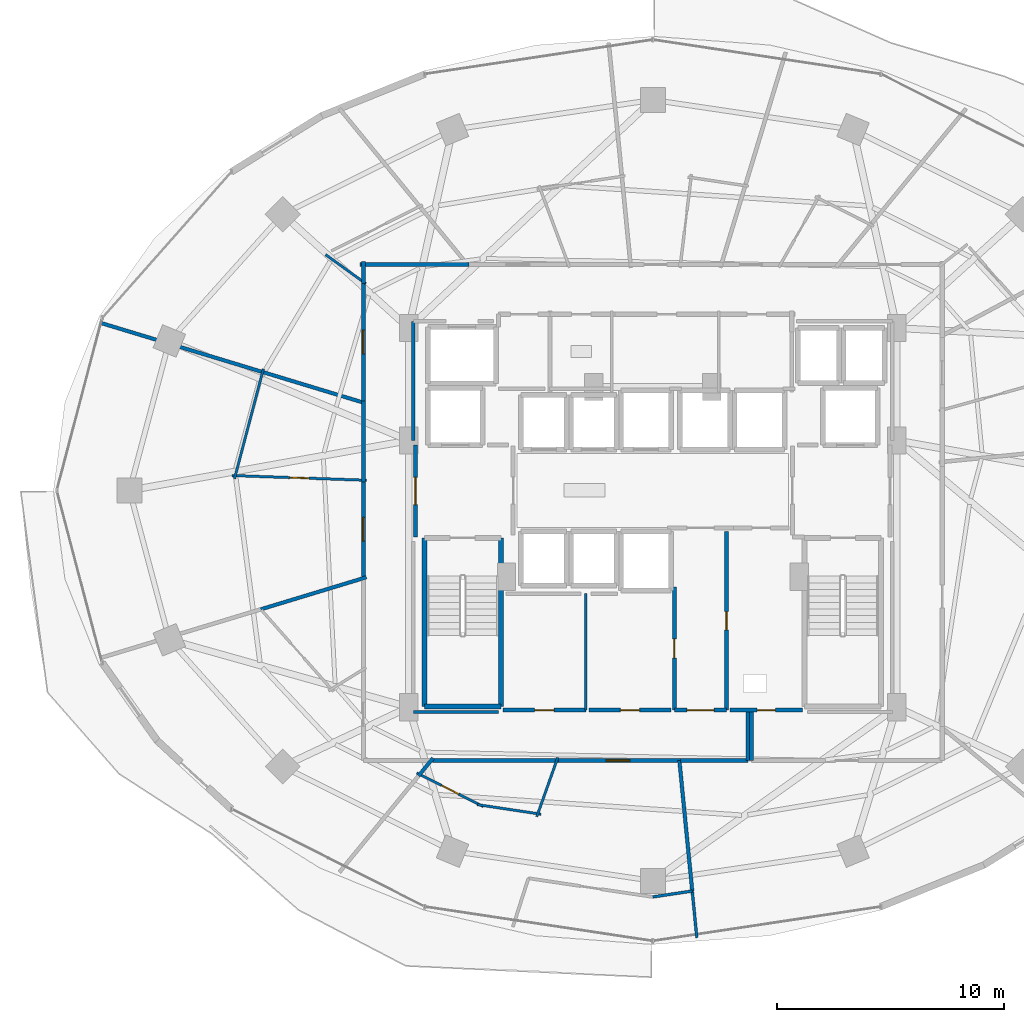
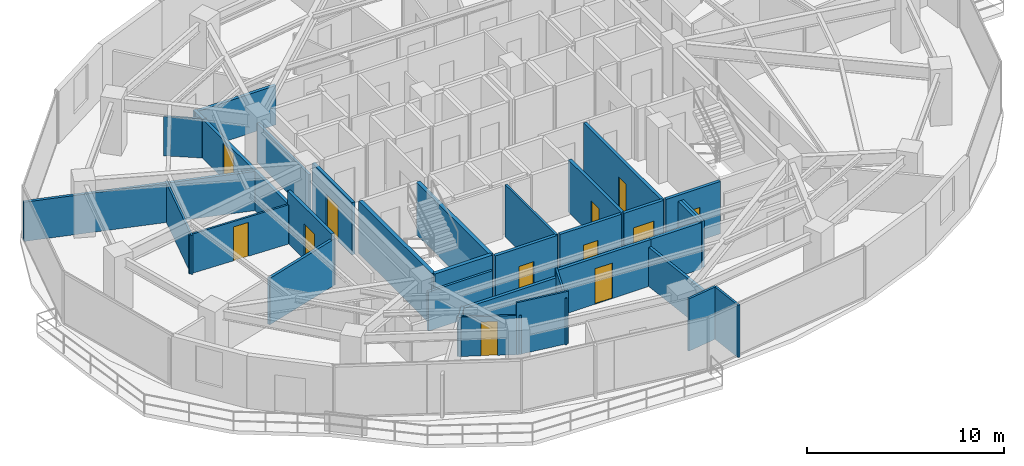
# One storey, part 22 of 29: 35 walls, 12 doors, 12 openings.
"""IFC4 building model written with IfcOpenShell, lengths in metres."""

from ifc_helpers import new_model, si_unit, direction, frame, frame_2d, origin, place, context, subcontext, project, spatial, rectangle, extrude, material, layer, layer_set, type_object, element, fill, save


model = new_model("IFC4")

# Units and contexts
model_context = context("Model", 3, precision=1e-05, world=origin(), true_north=direction((0.0, 1.0)))
body_context = subcontext(model_context, "Body", "Model", "MODEL_VIEW")
ifc_project = project(units=[si_unit("LENGTHUNIT", "METRE"), si_unit("AREAUNIT", "SQUARE_METRE"), si_unit("VOLUMEUNIT", "CUBIC_METRE"), si_unit("PLANEANGLEUNIT", "RADIAN"), si_unit("MASSUNIT", "GRAM", prefix="KILO")], contexts=[model_context])

# Site, building, storey
site_placement = place(None, origin())
site = spatial("IfcSite", under=ifc_project, at=site_placement, CompositionType="ELEMENT")
building_placement = place(site_placement, origin())
building = spatial("IfcBuilding", under=site, at=building_placement, Name="Vorneva Point Tower", CompositionType="ELEMENT")
storey_placement = place(building_placement, frame((0.0, 0.0, 117.300048828125)))
storey = spatial("IfcBuildingStorey", under=building, at=storey_placement, Name="L31", CompositionType="ELEMENT", Elevation=117.300048828125)

# Walls
ifc_material_1 = material(Name="Fire-rated acoustic gypsum stud partition", Category="gypsum")
ifc_layer_1 = layer(ifc_material_1, 0.110107421875)
ifc_layer_set_1 = layer_set([ifc_layer_1], Name="Fire-rated acoustic gypsum stud partition")
wall_type_1 = type_object("IfcWallType", Name="WL-PART-110", PredefinedType="PARTITIONING", material=ifc_layer_set_1)
wall_1_placement = place(storey_placement, frame((25.363525390625, 35.105224609375, 0.0), z_axis=(0.0, 0.0, 1.0), x_axis=(-0.811375655524, 0.584525059876, 0.0)))
element("IfcWall", 1, at=wall_1_placement, inside=storey, type_object=wall_type_1, Name="L31 Interior Partition 071", PredefinedType="PARTITIONING", context=body_context, shape_type="SweptSolid", body=[
    extrude(rectangle(XDim=2.18896484375, YDim=0.110107421875, at=frame_2d((1.094482421875, 0.0))), origin(), (0.0, 0.0, 1.0), 2.431884765625),
])
wall_2_placement = place(storey_placement, frame((19.575439453125, 26.5146484375, 0.0), z_axis=(0.0, 0.0, 1.0), x_axis=(0.254478876497, 0.967078332617, 0.0)))
element("IfcWall", 2, at=wall_2_placement, inside=storey, type_object=wall_type_1, Name="L31 Interior Partition 073", PredefinedType="PARTITIONING", context=body_context, shape_type="SweptSolid", body=[
    extrude(rectangle(XDim=4.999267578125, YDim=0.110107421875, at=frame_2d((2.49951171875, 0.0))), origin(), (0.0, 0.0, 1.0), 2.431884765625),
])

# Wall, opening, door
wall_3_placement = place(storey_placement, frame((25.389892578125, 26.446044921875, 0.0), z_axis=(0.0, 0.0, 1.0), x_axis=(-0.999378666741, 0.03524599926, 0.0)))
wall_3 = element("IfcWall", 3, at=wall_3_placement, inside=storey, type_object=wall_type_1, Name="L31 Interior Partition 074", PredefinedType="PARTITIONING", context=body_context, shape_type="SweptSolid", body=[
    extrude(rectangle(XDim=5.92236328125, YDim=0.110107421875, at=frame_2d((2.961181640625, 0.0))), origin(), (0.0, 0.0, 1.0), 2.431884765625),
])
opening_1_placement = place(wall_3_placement, frame((2.5361328125, 0.0, 0.0)))
opening_1 = element("IfcOpeningElement", 4, at=opening_1_placement, cuts=wall_3, Name="Opening ID-02", PredefinedType="OPENING", context=body_context, shape_type="SweptSolid", body=[
    extrude(rectangle(XDim=0.85009765625, YDim=2.10009765625, at=frame_2d((0.425048828125, 1.050048828125))), frame((0.0, 0.06982421875, 0.0), z_axis=(0.0, -1.0, 0.0), x_axis=(1.0, 0.0, 0.0)), (0.0, 0.0, 1.0), 0.139892578125),
])
ifc_material_2 = material(Name="Engineered oak fire-rated door leaf", Category="wood")
door_type_1 = type_object("IfcDoorType", Name="DR-BATH-850", OperationType="NOTDEFINED", PredefinedType="DOOR", material=ifc_material_2)
door_1_placement = place(opening_1_placement, origin())
door_1 = element("IfcDoor", 5, at=door_1_placement, inside=storey, type_object=door_type_1, Name="L31 Door Junior Suite L31-07 / En-Suite Bathroom L31-07", OperationType="SINGLE_SWING_LEFT", OverallHeight=2.10009765625, OverallWidth=0.85009765625, PredefinedType="DOOR", context=body_context, shape_type="SweptSolid", body=[
    extrude(rectangle(XDim=0.85009765625, YDim=2.10009765625, at=frame_2d((0.425048828125, 1.050048828125))), frame((0.0, 0.02490234375, 0.0), z_axis=(0.0, -1.0, 0.0), x_axis=(1.0, 0.0, 0.0)), (0.0, 0.0, 1.0), 0.050048828125),
])
fill(opening_1, door_1)

# Walls
wall_4_placement = place(storey_placement, frame((33.81494140625, 14.23193359375, 0.0), z_axis=(0.0, 0.0, 1.0), x_axis=(-0.334786713612, -0.942293933117, 0.0)))
element("IfcWall", 6, at=wall_4_placement, inside=storey, type_object=wall_type_1, Name="L31 Interior Partition 081", PredefinedType="PARTITIONING", context=body_context, shape_type="SweptSolid", body=[
    extrude(rectangle(XDim=2.765380859375, YDim=0.110107421875, at=frame_2d((1.3828125, 0.0))), origin(), (0.0, 0.0, 1.0), 2.8740234375),
])
wall_5_placement = place(storey_placement, frame((33.074462890625, 11.7373046875, 0.0), z_axis=(0.0, 0.0, 1.0), x_axis=(-0.988902866222, 0.148563525729, 0.0)))
element("IfcWall", 7, at=wall_5_placement, inside=storey, type_object=wall_type_1, Name="L31 Interior Partition 082", PredefinedType="PARTITIONING", context=body_context, shape_type="SweptSolid", body=[
    extrude(rectangle(XDim=2.83642578125, YDim=0.110107421875, at=frame_2d((1.418212890625, 0.0))), origin(), (0.0, 0.0, 1.0), 3.239990234375),
])

# Wall, opening, door
wall_6_placement = place(storey_placement, frame((30.532958984375, 12.07470703125, 0.0), z_axis=(0.0, 0.0, 1.0), x_axis=(-0.892451870397, 0.451142614952, 0.0)))
wall_6 = element("IfcWall", 8, at=wall_6_placement, inside=storey, type_object=wall_type_1, Name="L31 Interior Partition 083", PredefinedType="PARTITIONING", context=body_context, shape_type="SweptSolid", body=[
    extrude(rectangle(XDim=3.27734375, YDim=0.110107421875, at=frame_2d((1.638671875, 0.0))), origin(), (0.0, 0.0, 1.0), 2.431884765625),
])
opening_2_placement = place(wall_6_placement, frame((1.213623046875, 0.0, 0.0)))
opening_2 = element("IfcOpeningElement", 9, at=opening_2_placement, cuts=wall_6, Name="Opening ID-02", PredefinedType="OPENING", context=body_context, shape_type="SweptSolid", body=[
    extrude(rectangle(XDim=0.85009765625, YDim=2.10009765625, at=frame_2d((0.425048828125, 1.050048828125))), frame((0.0, 0.06982421875, 0.0), z_axis=(0.0, -1.0, 0.0), x_axis=(1.0, 0.0, 0.0)), (0.0, 0.0, 1.0), 0.139892578125),
])
door_2_placement = place(opening_2_placement, origin())
door_2 = element("IfcDoor", 10, at=door_2_placement, inside=storey, type_object=door_type_1, Name="L31 Door Corner Suite L31-09 / En-Suite Bathroom L31-09", OperationType="SINGLE_SWING_LEFT", OverallHeight=2.10009765625, OverallWidth=0.85009765625, PredefinedType="DOOR", context=body_context, shape_type="SweptSolid", body=[
    extrude(rectangle(XDim=0.85009765625, YDim=2.10009765625, at=frame_2d((0.425048828125, 1.050048828125))), frame((0.0, 0.02490234375, 0.0), z_axis=(0.0, -1.0, 0.0), x_axis=(1.0, 0.0, 0.0)), (0.0, 0.0, 1.0), 0.050048828125),
])
fill(opening_2, door_2)

# Walls
ifc_layer_2 = layer(ifc_material_1, 0.125)
ifc_layer_set_2 = layer_set([ifc_layer_2], Name="Fire-rated acoustic gypsum stud partition")
wall_type_2 = type_object("IfcWallType", Name="WL-PART-125", PredefinedType="PARTITIONING", material=ifc_layer_set_2)
wall_7_placement = place(storey_placement, frame((35.050048828125, 16.320068359375, 0.0), z_axis=(0.0, 0.0, 1.0), x_axis=(0.0, 1.0, 0.0)))
element("IfcWall", 11, at=wall_7_placement, inside=storey, type_object=wall_type_2, Name="L31 Interior Partition 021", PredefinedType="PARTITIONING", context=body_context, shape_type="SweptSolid", body=[
    extrude(rectangle(XDim=5.1298828125, YDim=0.125, at=frame_2d((2.56494140625, 0.0))), origin(), (0.0, 0.0, 1.0), 3.239990234375),
])
wall_8_placement = place(storey_placement, frame((38.0, 8.092041015625, 0.0), z_axis=(0.0, 0.0, 1.0), x_axis=(0.988912905534, 0.148496684368, 0.0)))
element("IfcWall", 12, at=wall_8_placement, inside=storey, type_object=wall_type_2, Name="L31 Interior Partition 086", PredefinedType="PARTITIONING", context=body_context, shape_type="SweptSolid", body=[
    extrude(rectangle(XDim=1.757568359375, YDim=0.125, at=frame_2d((0.87890625, 0.0))), origin(), (0.0, 0.0, 1.0), 3.239990234375),
])
wall_9_placement = place(storey_placement, frame((39.738037109375, 8.35302734375, 0.0), z_axis=(0.0, 0.0, 1.0), x_axis=(0.098101024823, -0.995176461201, 0.0)))
element("IfcWall", 13, at=wall_9_placement, inside=storey, type_object=wall_type_2, Name="L31 Interior Partition 087", PredefinedType="PARTITIONING", context=body_context, shape_type="SweptSolid", body=[
    extrude(rectangle(XDim=2.068115234375, YDim=0.125, at=frame_2d((1.0341796875, 0.0))), origin(), (0.0, 0.0, 1.0), 3.239990234375),
])
ifc_layer_3 = layer(ifc_material_1, 0.139892578125)
ifc_layer_set_3 = layer_set([ifc_layer_3], Name="Fire-rated acoustic gypsum stud partition")
wall_type_3 = type_object("IfcWallType", Name="WL-PART-140", PredefinedType="PARTITIONING", material=ifc_layer_set_3)
wall_10_placement = place(storey_placement, frame((31.195068359375, 16.239990234375, 0.0), z_axis=(0.0, 0.0, 1.0), x_axis=(-1.0, 0.0, 0.0)))
element("IfcWall", 14, at=wall_10_placement, inside=storey, type_object=wall_type_3, Name="L31 Interior Closure Partition 103", PredefinedType="PARTITIONING", context=body_context, shape_type="SweptSolid", body=[
    extrude(rectangle(XDim=3.7451171875, YDim=0.139892578125, at=frame_2d((1.87255859375, 0.0))), origin(), (0.0, 0.0, 1.0), 2.431884765625),
])
wall_11_placement = place(storey_placement, frame((27.449951171875, 28.196044921875, 0.0), z_axis=(0.0, 0.0, 1.0), x_axis=(0.0, 1.0, 0.0)))
element("IfcWall", 15, at=wall_11_placement, inside=storey, type_object=wall_type_3, Name="L31 Interior Closure Partition 105", PredefinedType="PARTITIONING", context=body_context, shape_type="SweptSolid", body=[
    extrude(rectangle(XDim=5.25390625, YDim=0.139892578125, at=frame_2d((2.626953125, 0.0))), origin(), (0.0, 0.0, 1.0), 2.431884765625),
])
ifc_layer_4 = layer(ifc_material_1, 0.159912109375)
ifc_layer_set_4 = layer_set([ifc_layer_4], Name="Fire-rated acoustic gypsum stud partition")
wall_type_4 = type_object("IfcWallType", Name="WL-PART-160", PredefinedType="PARTITIONING", material=ifc_layer_set_4)
wall_12_placement = place(storey_placement, frame((13.6630859375, 33.383056640625, 0.0), z_axis=(0.0, 0.0, 1.0), x_axis=(0.956933802543, -0.290306213422, 0.0)))
element("IfcWall", 16, at=wall_12_placement, inside=storey, type_object=wall_type_4, Name="L31 Interior Partition 072", PredefinedType="PARTITIONING", context=body_context, shape_type="SweptSolid", body=[
    extrude(rectangle(XDim=12.1083984375, YDim=0.159912109375, at=frame_2d((6.05419921875, 0.0))), origin(), (0.0, 0.0, 1.0), 2.431884765625),
])
wall_13_placement = place(storey_placement, frame((20.735107421875, 20.761962890625, 0.0), z_axis=(0.0, 0.0, 1.0), x_axis=(0.956916986017, 0.290361639807, 0.0)))
element("IfcWall", 17, at=wall_13_placement, inside=storey, type_object=wall_type_4, Name="L31 Interior Partition 076", PredefinedType="PARTITIONING", context=body_context, shape_type="SweptSolid", body=[
    extrude(rectangle(XDim=4.858154296875, YDim=0.159912109375, at=frame_2d((2.42919921875, 0.0))), origin(), (0.0, 0.0, 1.0), 2.8740234375),
])
wall_14_placement = place(storey_placement, frame((27.683349609375, 13.4287109375, 0.0), z_axis=(0.0, 0.0, 1.0), x_axis=(0.634186727441, 0.77317992391, 0.0)))
element("IfcWall", 18, at=wall_14_placement, inside=storey, type_object=wall_type_4, Name="L31 Interior Partition 080", PredefinedType="PARTITIONING", context=body_context, shape_type="SweptSolid", body=[
    extrude(rectangle(XDim=1.00830078125, YDim=0.159912109375, at=frame_2d((0.504150390625, 0.0))), origin(), (0.0, 0.0, 1.0), 2.431884765625),
])
wall_15_placement = place(storey_placement, frame((39.73828125, 8.35302734375, 0.0), z_axis=(0.0, 0.0, 1.0), x_axis=(-0.098038593066, 0.995182613529, 0.0)))
element("IfcWall", 19, at=wall_15_placement, inside=storey, type_object=wall_type_4, Name="L31 Interior Partition 088", PredefinedType="PARTITIONING", context=body_context, shape_type="SweptSolid", body=[
    extrude(rectangle(XDim=5.77490234375, YDim=0.159912109375, at=frame_2d((2.887451171875, 0.0))), origin(), (0.0, 0.0, 1.0), 2.431884765625),
])

# Wall, opening, door
ifc_material_3 = material(Name="Autoclaved aerated concrete blockwork", Category="masonry")
ifc_layer_5 = layer(ifc_material_3, 0.179931640625)
ifc_layer_set_5 = layer_set([ifc_layer_5], Name="Autoclaved aerated concrete blockwork")
wall_type_5 = type_object("IfcWallType", Name="WL-PART-180", PredefinedType="PARTITIONING", material=ifc_layer_set_5)
wall_16_placement = place(storey_placement, frame((27.550048828125, 28.0, 0.0), z_axis=(0.0, 0.0, 1.0), x_axis=(0.0, -1.0, 0.0)))
wall_16 = element("IfcWall", 20, at=wall_16_placement, inside=storey, type_object=wall_type_5, Name="L31 Interior Partition 002", PredefinedType="PARTITIONING", context=body_context, shape_type="SweptSolid", body=[
    extrude(rectangle(XDim=4.050048828125, YDim=0.179931640625, at=frame_2d((2.02490234375, 0.0))), origin(), (0.0, 0.0, 1.0), 3.239990234375),
])
opening_3_placement = place(wall_16_placement, frame((1.425048828125, 0.0, 0.0)))
opening_3 = element("IfcOpeningElement", 21, at=opening_3_placement, cuts=wall_16, Name="Opening FD-02", PredefinedType="OPENING", context=body_context, shape_type="SweptSolid", body=[
    extrude(rectangle(XDim=1.199951171875, YDim=2.14990234375, at=frame_2d((0.60009765625, 1.074951171875))), frame((0.0, 0.10498046875, 0.0), z_axis=(0.0, -1.0, 0.0), x_axis=(1.0, 0.0, 0.0)), (0.0, 0.0, 1.0), 0.209716796875),
])
ifc_material_4 = material(Name="Fire-rated powder-coated steel", Category="steel")
door_type_2 = type_object("IfcDoorType", Name="DR-FFL-1200", OperationType="NOTDEFINED", PredefinedType="DOOR", material=ifc_material_4)
door_3_placement = place(opening_3_placement, origin())
door_3 = element("IfcDoor", 22, at=door_3_placement, inside=storey, type_object=door_type_2, Name="L31 Door West Firefighting Lobby / L31 Circulation Corridor", OperationType="SINGLE_SWING_RIGHT", OverallHeight=2.14990234375, OverallWidth=1.199951171875, PredefinedType="DOOR", context=body_context, shape_type="SweptSolid", body=[
    extrude(rectangle(XDim=1.199951171875, YDim=2.14990234375, at=frame_2d((0.60009765625, 1.074951171875))), frame((0.0, 0.02490234375, 0.0), z_axis=(0.0, -1.0, 0.0), x_axis=(1.0, 0.0, 0.0)), (0.0, 0.0, 1.0), 0.050048828125),
])
fill(opening_3, door_3)

wall_17_placement = place(storey_placement, frame((41.25, 16.320068359375, 0.0), z_axis=(0.0, 0.0, 1.0), x_axis=(0.0, 1.0, 0.0)))
wall_17 = element("IfcWall", 23, at=wall_17_placement, inside=storey, type_object=wall_type_5, Name="L31 Interior Partition 011", PredefinedType="PARTITIONING", context=body_context, shape_type="SweptSolid", body=[
    extrude(rectangle(XDim=7.8798828125, YDim=0.179931640625, at=frame_2d((3.93994140625, 0.0))), origin(), (0.0, 0.0, 1.0), 3.239990234375),
])
opening_4_placement = place(wall_17_placement, frame((3.5400390625, 0.0, 0.0)))
opening_4 = element("IfcOpeningElement", 24, at=opening_4_placement, cuts=wall_17, Name="Opening RD-01", PredefinedType="OPENING", context=body_context, shape_type="SweptSolid", body=[
    extrude(rectangle(XDim=0.800048828125, YDim=2.050048828125, at=frame_2d((0.39990234375, 1.02490234375))), frame((0.0, 0.10498046875, 0.0), z_axis=(0.0, -1.0, 0.0), x_axis=(1.0, 0.0, 0.0)), (0.0, 0.0, 1.0), 0.209716796875),
])
door_type_3 = type_object("IfcDoorType", Name="DR-RSR-800", OperationType="SINGLE_SWING_LEFT", PredefinedType="DOOR", material=ifc_material_4)
door_4_placement = place(opening_4_placement, origin())
door_4 = element("IfcDoor", 25, at=door_4_placement, inside=storey, type_object=door_type_3, Name="L31 Door Core Service Lobby / Electrical Riser", OperationType="SINGLE_SWING_LEFT", OverallHeight=2.050048828125, OverallWidth=0.800048828125, PredefinedType="DOOR", context=body_context, shape_type="SweptSolid", body=[
    extrude(rectangle(XDim=0.800048828125, YDim=2.050048828125, at=frame_2d((0.39990234375, 1.02490234375))), frame((0.0, 0.02490234375, 0.0), z_axis=(0.0, -1.0, 0.0), x_axis=(1.0, 0.0, 0.0)), (0.0, 0.0, 1.0), 0.050048828125),
])
fill(opening_4, door_4)

wall_18_placement = place(storey_placement, frame((38.949951171875, 21.7548828125, 0.0), z_axis=(0.0, 0.0, 1.0), x_axis=(0.0, -1.0, 0.0)))
wall_18 = element("IfcWall", 26, at=wall_18_placement, inside=storey, type_object=wall_type_5, Name="L31 Interior Partition 012", PredefinedType="PARTITIONING", context=body_context, shape_type="SweptSolid", body=[
    extrude(rectangle(XDim=5.434814453125, YDim=0.179931640625, at=frame_2d((2.71728515625, 0.0))), origin(), (0.0, 0.0, 1.0), 3.239990234375),
])
opening_5_placement = place(wall_18_placement, frame((2.29248046875, 0.0, 0.0)))
opening_5 = element("IfcOpeningElement", 27, at=opening_5_placement, cuts=wall_18, Name="Opening ID-02", PredefinedType="OPENING", context=body_context, shape_type="SweptSolid", body=[
    extrude(rectangle(XDim=0.85009765625, YDim=2.10009765625, at=frame_2d((0.425048828125, 1.050048828125))), frame((0.0, 0.10498046875, 0.0), z_axis=(0.0, -1.0, 0.0), x_axis=(1.0, 0.0, 0.0)), (0.0, 0.0, 1.0), 0.209716796875),
])
door_5_placement = place(opening_5_placement, origin())
door_5 = element("IfcDoor", 28, at=door_5_placement, inside=storey, type_object=door_type_1, Name="L31 Door Core Service Lobby / Linen Store", OperationType="SINGLE_SWING_RIGHT", OverallHeight=2.10009765625, OverallWidth=0.85009765625, PredefinedType="DOOR", context=body_context, shape_type="SweptSolid", body=[
    extrude(rectangle(XDim=0.85009765625, YDim=2.10009765625, at=frame_2d((0.425048828125, 1.050048828125))), frame((0.0, 0.02490234375, 0.0), z_axis=(0.0, -1.0, 0.0), x_axis=(1.0, 0.0, 0.0)), (0.0, 0.0, 1.0), 0.050048828125),
])
fill(opening_5, door_5)

wall_19_placement = place(storey_placement, frame((38.949951171875, 16.320068359375, 0.0), z_axis=(0.0, 0.0, 1.0), x_axis=(1.0, 0.0, 0.0)))
wall_19 = element("IfcWall", 29, at=wall_19_placement, inside=storey, type_object=wall_type_5, Name="L31 Interior Partition 013", PredefinedType="PARTITIONING", context=body_context, shape_type="SweptSolid", body=[
    extrude(rectangle(XDim=2.300048828125, YDim=0.179931640625, at=frame_2d((1.14990234375, 0.0))), origin(), (0.0, 0.0, 1.0), 3.239990234375),
])
opening_6_placement = place(wall_19_placement, frame((0.550048828125, 0.0, 0.0)))
opening_6 = element("IfcOpeningElement", 30, at=opening_6_placement, cuts=wall_19, Name="Opening FD-02", PredefinedType="OPENING", context=body_context, shape_type="SweptSolid", body=[
    extrude(rectangle(XDim=1.199951171875, YDim=2.14990234375, at=frame_2d((0.60009765625, 1.074951171875))), frame((0.0, 0.10498046875, 0.0), z_axis=(0.0, -1.0, 0.0), x_axis=(1.0, 0.0, 0.0)), (0.0, 0.0, 1.0), 0.209716796875),
])
door_6_placement = place(opening_6_placement, origin())
door_6 = element("IfcDoor", 31, at=door_6_placement, inside=storey, type_object=door_type_2, Name="L31 Door Core Service Lobby / L31 Circulation Corridor", OperationType="SINGLE_SWING_LEFT", OverallHeight=2.14990234375, OverallWidth=1.199951171875, PredefinedType="DOOR", context=body_context, shape_type="SweptSolid", body=[
    extrude(rectangle(XDim=1.199951171875, YDim=2.14990234375, at=frame_2d((0.60009765625, 1.074951171875))), frame((0.0, 0.02490234375, 0.0), z_axis=(0.0, -1.0, 0.0), x_axis=(1.0, 0.0, 0.0)), (0.0, 0.0, 1.0), 0.050048828125),
])
fill(opening_6, door_6)

wall_20_placement = place(storey_placement, frame((41.39990234375, 16.320068359375, 0.0), z_axis=(0.0, 0.0, 1.0), x_axis=(1.0, 0.0, 0.0)))
wall_20 = element("IfcWall", 32, at=wall_20_placement, inside=storey, type_object=wall_type_5, Name="L31 Interior Partition 014", PredefinedType="PARTITIONING", context=body_context, shape_type="SweptSolid", body=[
    extrude(rectangle(XDim=3.2001953125, YDim=0.179931640625, at=frame_2d((1.60009765625, 0.0))), origin(), (0.0, 0.0, 1.0), 3.239990234375),
])
opening_7_placement = place(wall_20_placement, frame((1.199951171875, 0.0, 0.0)))
opening_7 = element("IfcOpeningElement", 33, at=opening_7_placement, cuts=wall_20, Name="Opening RD-01", PredefinedType="OPENING", context=body_context, shape_type="SweptSolid", body=[
    extrude(rectangle(XDim=0.800048828125, YDim=2.050048828125, at=frame_2d((0.39990234375, 1.02490234375))), frame((0.0, 0.10498046875, 0.0), z_axis=(0.0, -1.0, 0.0), x_axis=(1.0, 0.0, 0.0)), (0.0, 0.0, 1.0), 0.209716796875),
])
door_7_placement = place(opening_7_placement, origin())
door_7 = element("IfcDoor", 34, at=door_7_placement, inside=storey, type_object=door_type_3, Name="L31 Door Electrical Riser / L31 Circulation Corridor", OperationType="SINGLE_SWING_RIGHT", OverallHeight=2.050048828125, OverallWidth=0.800048828125, PredefinedType="DOOR", context=body_context, shape_type="SweptSolid", body=[
    extrude(rectangle(XDim=0.800048828125, YDim=2.050048828125, at=frame_2d((0.39990234375, 1.02490234375))), frame((0.0, 0.02490234375, 0.0), z_axis=(0.0, -1.0, 0.0), x_axis=(1.0, 0.0, 0.0)), (0.0, 0.0, 1.0), 0.050048828125),
])
fill(opening_7, door_7)

wall_21_placement = place(storey_placement, frame((31.39990234375, 16.320068359375, 0.0), z_axis=(0.0, 0.0, 1.0), x_axis=(1.0, 0.0, 0.0)))
wall_21 = element("IfcWall", 35, at=wall_21_placement, inside=storey, type_object=wall_type_5, Name="L31 Interior Partition 022", PredefinedType="PARTITIONING", context=body_context, shape_type="SweptSolid", body=[
    extrude(rectangle(XDim=3.650146484375, YDim=0.179931640625, at=frame_2d((1.8251953125, 0.0))), origin(), (0.0, 0.0, 1.0), 3.239990234375),
])
opening_8_placement = place(wall_21_placement, frame((1.39990234375, 0.0, 0.0)))
opening_8 = element("IfcOpeningElement", 36, at=opening_8_placement, cuts=wall_21, Name="Opening ID-02", PredefinedType="OPENING", context=body_context, shape_type="SweptSolid", body=[
    extrude(rectangle(XDim=0.85009765625, YDim=2.10009765625, at=frame_2d((0.425048828125, 1.050048828125))), frame((0.0, 0.10498046875, 0.0), z_axis=(0.0, -1.0, 0.0), x_axis=(1.0, 0.0, 0.0)), (0.0, 0.0, 1.0), 0.209716796875),
])
door_8_placement = place(opening_8_placement, origin())
door_8 = element("IfcDoor", 37, at=door_8_placement, inside=storey, type_object=door_type_1, Name="L31 Door Housekeeping Room / L31 Circulation Corridor", OperationType="SINGLE_SWING_RIGHT", OverallHeight=2.10009765625, OverallWidth=0.85009765625, PredefinedType="DOOR", context=body_context, shape_type="SweptSolid", body=[
    extrude(rectangle(XDim=0.85009765625, YDim=2.10009765625, at=frame_2d((0.425048828125, 1.050048828125))), frame((0.0, 0.02490234375, 0.0), z_axis=(0.0, -1.0, 0.0), x_axis=(1.0, 0.0, 0.0)), (0.0, 0.0, 1.0), 0.050048828125),
])
fill(opening_8, door_8)

wall_22_placement = place(storey_placement, frame((35.199951171875, 16.320068359375, 0.0), z_axis=(0.0, 0.0, 1.0), x_axis=(1.0, 0.0, 0.0)))
wall_22 = element("IfcWall", 38, at=wall_22_placement, inside=storey, type_object=wall_type_5, Name="L31 Interior Partition 023", PredefinedType="PARTITIONING", context=body_context, shape_type="SweptSolid", body=[
    extrude(rectangle(XDim=3.60009765625, YDim=0.179931640625, at=frame_2d((1.800048828125, 0.0))), origin(), (0.0, 0.0, 1.0), 3.239990234375),
])
opening_9_placement = place(wall_22_placement, frame((1.375, 0.0, 0.0)))
opening_9 = element("IfcOpeningElement", 39, at=opening_9_placement, cuts=wall_22, Name="Opening ID-02", PredefinedType="OPENING", context=body_context, shape_type="SweptSolid", body=[
    extrude(rectangle(XDim=0.85009765625, YDim=2.10009765625, at=frame_2d((0.425048828125, 1.050048828125))), frame((0.0, 0.10498046875, 0.0), z_axis=(0.0, -1.0, 0.0), x_axis=(1.0, 0.0, 0.0)), (0.0, 0.0, 1.0), 0.209716796875),
])
door_9_placement = place(opening_9_placement, origin())
door_9 = element("IfcDoor", 40, at=door_9_placement, inside=storey, type_object=door_type_1, Name="L31 Door Linen Store / L31 Circulation Corridor", OperationType="SINGLE_SWING_LEFT", OverallHeight=2.10009765625, OverallWidth=0.85009765625, PredefinedType="DOOR", context=body_context, shape_type="SweptSolid", body=[
    extrude(rectangle(XDim=0.85009765625, YDim=2.10009765625, at=frame_2d((0.425048828125, 1.050048828125))), frame((0.0, 0.02490234375, 0.0), z_axis=(0.0, -1.0, 0.0), x_axis=(1.0, 0.0, 0.0)), (0.0, 0.0, 1.0), 0.050048828125),
])
fill(opening_9, door_9)

wall_23_placement = place(storey_placement, frame((25.25, 35.260986328125, 0.0), z_axis=(0.0, 0.0, 1.0), x_axis=(0.0, -1.0, 0.0)))
wall_23 = element("IfcWall", 41, at=wall_23_placement, inside=storey, type_object=wall_type_5, Name="L31 Interior Partition 034", PredefinedType="PARTITIONING", context=body_context, shape_type="SweptSolid", body=[
    extrude(rectangle(XDim=5.452880859375, YDim=0.179931640625, at=frame_2d((2.7265625, 0.0))), origin(), (0.0, 0.0, 1.0), 2.431884765625),
])
opening_10_placement = place(wall_23_placement, frame((2.201416015625, 0.0, 0.0)))
opening_10 = element("IfcOpeningElement", 42, at=opening_10_placement, cuts=wall_23, Name="Opening UD-02", PredefinedType="OPENING", context=body_context, shape_type="SweptSolid", body=[
    extrude(rectangle(XDim=1.050048828125, YDim=2.199951171875, at=frame_2d((0.52490234375, 1.10009765625))), frame((0.0, 0.10498046875, 0.0), z_axis=(0.0, -1.0, 0.0), x_axis=(1.0, 0.0, 0.0)), (0.0, 0.0, 1.0), 0.209716796875),
])
door_type_4 = type_object("IfcDoorType", Name="DR-SUITE-1050", OperationType="NOTDEFINED", PredefinedType="DOOR", material=ifc_material_2)
door_10_placement = place(opening_10_placement, origin())
door_10 = element("IfcDoor", 43, at=door_10_placement, inside=storey, type_object=door_type_4, Name="L31 Door L31 Circulation Corridor / Corner Suite L31-06", OperationType="SINGLE_SWING_LEFT", OverallHeight=2.199951171875, OverallWidth=1.050048828125, PredefinedType="DOOR", context=body_context, shape_type="SweptSolid", body=[
    extrude(rectangle(XDim=1.050048828125, YDim=2.199951171875, at=frame_2d((0.52490234375, 1.10009765625))), frame((0.0, 0.02490234375, 0.0), z_axis=(0.0, -1.0, 0.0), x_axis=(1.0, 0.0, 0.0)), (0.0, 0.0, 1.0), 0.050048828125),
])
fill(opening_10, door_10)

# Walls
wall_24_placement = place(storey_placement, frame((29.89599609375, 35.949951171875, 0.0), z_axis=(0.0, 0.0, 1.0), x_axis=(-1.0, 0.0, 0.0)))
element("IfcWall", 44, at=wall_24_placement, inside=storey, type_object=wall_type_5, Name="L31 Interior Partition 035", PredefinedType="PARTITIONING", context=body_context, shape_type="SweptSolid", body=[
    extrude(rectangle(XDim=4.785888671875, YDim=0.179931640625, at=frame_2d((2.39306640625, 0.0))), origin(), (0.0, 0.0, 1.0), 2.431884765625),
])
wall_25_placement = place(storey_placement, frame((25.25, 36.090087890625, 0.0), z_axis=(0.0, 0.0, 1.0), x_axis=(0.0, -1.0, 0.0)))
element("IfcWall", 45, at=wall_25_placement, inside=storey, type_object=wall_type_5, Name="L31 Interior Partition 036", PredefinedType="PARTITIONING", context=body_context, shape_type="SweptSolid", body=[
    extrude(rectangle(XDim=0.968994140625, YDim=0.179931640625, at=frame_2d((0.484375, 0.0))), origin(), (0.0, 0.0, 1.0), 2.431884765625),
])

# Wall, opening, door
wall_26_placement = place(storey_placement, frame((25.25, 26.510986328125, 0.0), z_axis=(0.0, 0.0, 1.0), x_axis=(0.0, -1.0, 0.0)))
wall_26 = element("IfcWall", 46, at=wall_26_placement, inside=storey, type_object=wall_type_5, Name="L31 Interior Partition 037", PredefinedType="PARTITIONING", context=body_context, shape_type="SweptSolid", body=[
    extrude(rectangle(XDim=4.44189453125, YDim=0.179931640625, at=frame_2d((2.220947265625, 0.0))), origin(), (0.0, 0.0, 1.0), 3.239990234375),
])
opening_11_placement = place(wall_26_placement, frame((1.696044921875, 0.0, 0.0)))
opening_11 = element("IfcOpeningElement", 47, at=opening_11_placement, cuts=wall_26, Name="Opening UD-02", PredefinedType="OPENING", context=body_context, shape_type="SweptSolid", body=[
    extrude(rectangle(XDim=1.050048828125, YDim=2.199951171875, at=frame_2d((0.52490234375, 1.10009765625))), frame((0.0, 0.10498046875, 0.0), z_axis=(0.0, -1.0, 0.0), x_axis=(1.0, 0.0, 0.0)), (0.0, 0.0, 1.0), 0.209716796875),
])
door_11_placement = place(opening_11_placement, origin())
door_11 = element("IfcDoor", 48, at=door_11_placement, inside=storey, type_object=door_type_4, Name="L31 Door L31 Circulation Corridor / Junior Suite L31-07", OperationType="SINGLE_SWING_RIGHT", OverallHeight=2.199951171875, OverallWidth=1.050048828125, PredefinedType="DOOR", context=body_context, shape_type="SweptSolid", body=[
    extrude(rectangle(XDim=1.050048828125, YDim=2.199951171875, at=frame_2d((0.52490234375, 1.10009765625))), frame((0.0, 0.02490234375, 0.0), z_axis=(0.0, -1.0, 0.0), x_axis=(1.0, 0.0, 0.0)), (0.0, 0.0, 1.0), 0.050048828125),
])
fill(opening_11, door_11)

# Wall
wall_27_placement = place(storey_placement, frame((25.25, 29.947998046875, 0.0), z_axis=(0.0, 0.0, 1.0), x_axis=(0.0, -1.0, 0.0)))
element("IfcWall", 49, at=wall_27_placement, inside=storey, type_object=wall_type_5, Name="L31 Interior Partition 038", PredefinedType="PARTITIONING", context=body_context, shape_type="SweptSolid", body=[
    extrude(rectangle(XDim=3.576904296875, YDim=0.179931640625, at=frame_2d((1.78857421875, 0.0))), origin(), (0.0, 0.0, 1.0), 2.431884765625),
])

# Wall, opening, door
wall_28_placement = place(storey_placement, frame((33.7041015625, 14.10009765625, 0.0), z_axis=(0.0, 0.0, 1.0), x_axis=(1.0, 0.0, 0.0)))
wall_28 = element("IfcWall", 50, at=wall_28_placement, inside=storey, type_object=wall_type_5, Name="L31 Interior Partition 042", PredefinedType="PARTITIONING", context=body_context, shape_type="SweptSolid", body=[
    extrude(rectangle(XDim=5.52783203125, YDim=0.179931640625, at=frame_2d((2.763916015625, 0.0))), origin(), (0.0, 0.0, 1.0), 2.8740234375),
])
opening_12_placement = place(wall_28_placement, frame((2.239013671875, 0.0, 0.0)))
opening_12 = element("IfcOpeningElement", 51, at=opening_12_placement, cuts=wall_28, Name="Opening UD-02", PredefinedType="OPENING", context=body_context, shape_type="SweptSolid", body=[
    extrude(rectangle(XDim=1.050048828125, YDim=2.199951171875, at=frame_2d((0.52490234375, 1.10009765625))), frame((0.0, 0.10498046875, 0.0), z_axis=(0.0, -1.0, 0.0), x_axis=(1.0, 0.0, 0.0)), (0.0, 0.0, 1.0), 0.209716796875),
])
door_12_placement = place(opening_12_placement, origin())
door_12 = element("IfcDoor", 52, at=door_12_placement, inside=storey, type_object=door_type_4, Name="L31 Door L31 Circulation Corridor / Corner Suite L31-09", OperationType="SINGLE_SWING_RIGHT", OverallHeight=2.199951171875, OverallWidth=1.050048828125, PredefinedType="DOOR", context=body_context, shape_type="SweptSolid", body=[
    extrude(rectangle(XDim=1.050048828125, YDim=2.199951171875, at=frame_2d((0.52490234375, 1.10009765625))), frame((0.0, 0.02490234375, 0.0), z_axis=(0.0, -1.0, 0.0), x_axis=(1.0, 0.0, 0.0)), (0.0, 0.0, 1.0), 0.050048828125),
])
fill(opening_12, door_12)

# Walls
wall_29_placement = place(storey_placement, frame((28.154052734375, 14.10009765625, 0.0), z_axis=(0.0, 0.0, 1.0), x_axis=(1.0, 0.0, 0.0)))
element("IfcWall", 53, at=wall_29_placement, inside=storey, type_object=wall_type_5, Name="L31 Interior Partition 043", PredefinedType="PARTITIONING", context=body_context, shape_type="SweptSolid", body=[
    extrude(rectangle(XDim=5.68994140625, YDim=0.179931640625, at=frame_2d((2.844970703125, 0.0))), origin(), (0.0, 0.0, 1.0), 2.431884765625),
])
wall_30_placement = place(storey_placement, frame((42.340087890625, 16.239990234375, 0.0), z_axis=(0.0, 0.0, 1.0), x_axis=(0.0, -1.0, 0.0)))
element("IfcWall", 54, at=wall_30_placement, inside=storey, type_object=wall_type_5, Name="L31 Interior Partition 044", PredefinedType="PARTITIONING", context=body_context, shape_type="SweptSolid", body=[
    extrude(rectangle(XDim=2.139892578125, YDim=0.179931640625, at=frame_2d((1.06982421875, 0.0))), origin(), (0.0, 0.0, 1.0), 2.8740234375),
])
wall_31_placement = place(storey_placement, frame((39.23193359375, 14.10009765625, 0.0), z_axis=(0.0, 0.0, 1.0), x_axis=(1.0, 0.0, 0.0)))
element("IfcWall", 55, at=wall_31_placement, inside=storey, type_object=wall_type_5, Name="L31 Interior Partition 047", PredefinedType="PARTITIONING", context=body_context, shape_type="SweptSolid", body=[
    extrude(rectangle(XDim=2.968017578125, YDim=0.179931640625, at=frame_2d((1.48388671875, 0.0))), origin(), (0.0, 0.0, 1.0), 2.8740234375),
])
wall_32_placement = place(storey_placement, frame((42.199951171875, 14.10009765625, 0.0), z_axis=(0.0, 0.0, 1.0), x_axis=(0.0, 1.0, 0.0)))
element("IfcWall", 56, at=wall_32_placement, inside=storey, type_object=wall_type_5, Name="L31 Interior Partition 048", PredefinedType="PARTITIONING", context=body_context, shape_type="SweptSolid", body=[
    extrude(rectangle(XDim=2.139892578125, YDim=0.179931640625, at=frame_2d((1.06982421875, 0.0))), origin(), (0.0, 0.0, 1.0), 2.8740234375),
])
ifc_material_5 = material(Name="Concrete B50 (C40/50)", Category="concrete")
ifc_layer_6 = layer(ifc_material_5, 0.219970703125)
ifc_layer_set_6 = layer_set([ifc_layer_6], Name="Concrete B50 (C40/50)")
wall_type_6 = type_object("IfcWallType", Name="WL-SHFT-220", PredefinedType="SOLIDWALL", material=ifc_layer_set_6)
wall_33_placement = place(storey_placement, frame((31.31005859375, 23.909912109375, 0.0), z_axis=(0.0, 0.0, 1.0), x_axis=(0.0, -1.0, 0.0)))
element("IfcWall", 57, at=wall_33_placement, inside=storey, type_object=wall_type_6, Name="L31 Exit Stair ST1 Shaft Wall right", PredefinedType="SOLIDWALL", context=body_context, shape_type="SweptSolid", body=[
    extrude(rectangle(XDim=7.419921875, YDim=0.219970703125, at=frame_2d((3.7099609375, 0.0))), origin(), (0.0, 0.0, 1.0), 3.239990234375),
])
wall_34_placement = place(storey_placement, frame((31.31005859375, 16.489990234375, 0.0), z_axis=(0.0, 0.0, 1.0), x_axis=(-1.0, 0.0, 0.0)))
element("IfcWall", 58, at=wall_34_placement, inside=storey, type_object=wall_type_6, Name="L31 Exit Stair ST1 Shaft Wall far", PredefinedType="SOLIDWALL", context=body_context, shape_type="SweptSolid", body=[
    extrude(rectangle(XDim=3.3701171875, YDim=0.219970703125, at=frame_2d((1.68505859375, 0.0))), origin(), (0.0, 0.0, 1.0), 3.239990234375),
])
wall_35_placement = place(storey_placement, frame((27.93994140625, 16.489990234375, 0.0), z_axis=(0.0, 0.0, 1.0), x_axis=(0.0, 1.0, 0.0)))
element("IfcWall", 59, at=wall_35_placement, inside=storey, type_object=wall_type_6, Name="L31 Exit Stair ST1 Shaft Wall left", PredefinedType="SOLIDWALL", context=body_context, shape_type="SweptSolid", body=[
    extrude(rectangle(XDim=7.419921875, YDim=0.219970703125, at=frame_2d((3.7099609375, 0.0))), origin(), (0.0, 0.0, 1.0), 3.239990234375),
])

save(model, "model.ifc")
